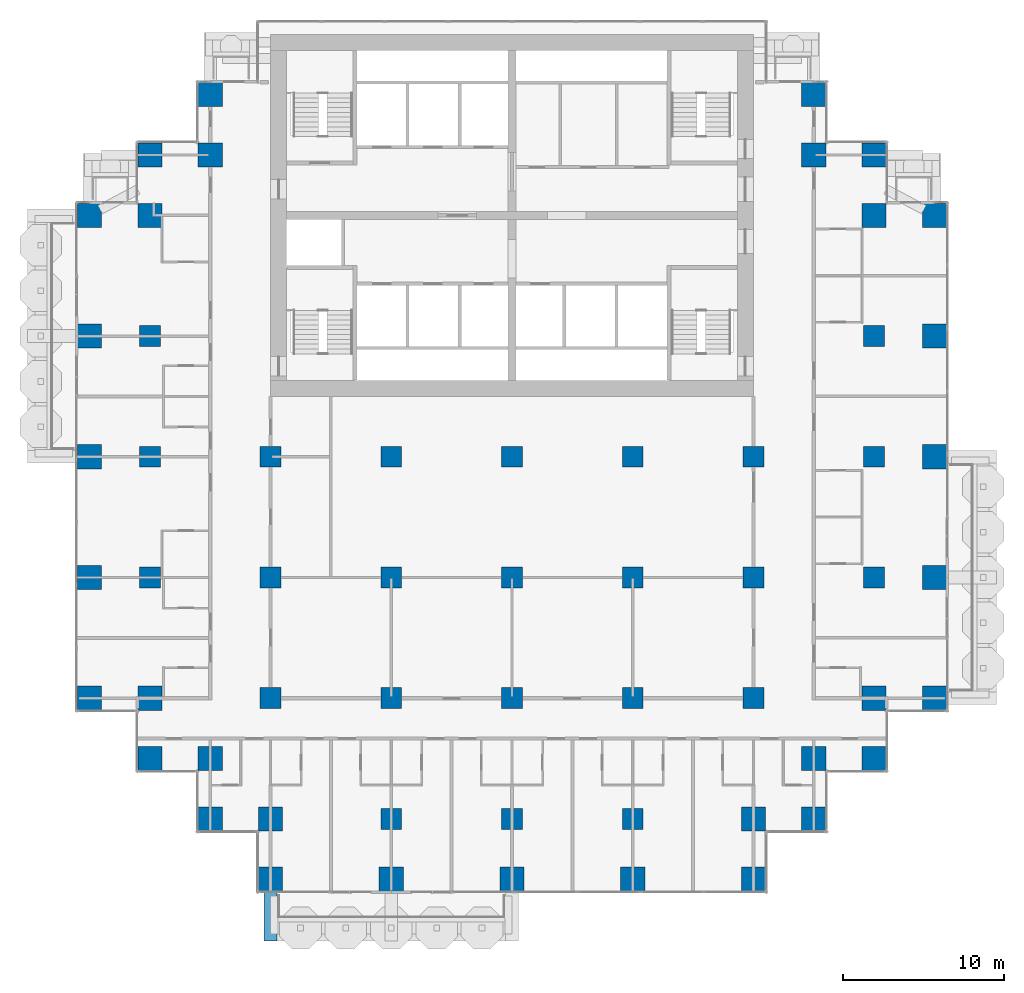
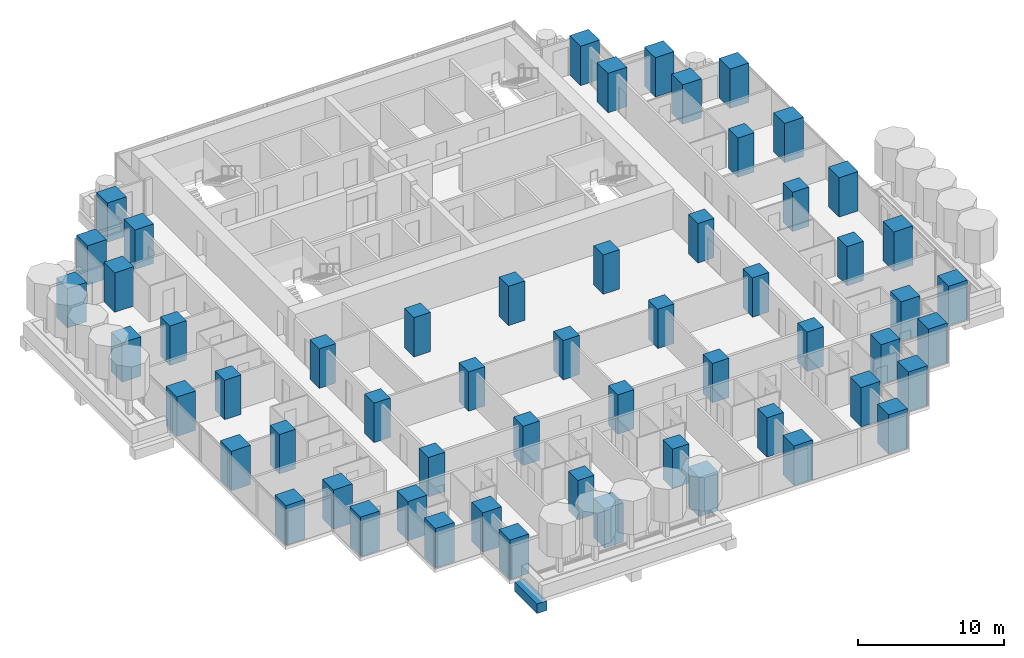
# One storey, part 1 of 19: 57 columns, 1 beam.
"""IFC4 building model written with IfcOpenShell, lengths in metres."""

from ifc_helpers import new_model, si_unit, direction, frame, origin, origin_2d, place, context, subcontext, project, spatial, rectangle, extrude, material, material_profile, profile_set, type_object, element, save


model = new_model("IFC4")

# Units and contexts
model_context = context("Model", 3, precision=1e-05, world=origin(), true_north=direction((0.0, 1.0)))
body_context = subcontext(model_context, "Body", "Model", "MODEL_VIEW")
ifc_project = project(units=[si_unit("LENGTHUNIT", "METRE"), si_unit("AREAUNIT", "SQUARE_METRE"), si_unit("VOLUMEUNIT", "CUBIC_METRE"), si_unit("PLANEANGLEUNIT", "RADIAN"), si_unit("MASSUNIT", "GRAM", prefix="KILO")], contexts=[model_context])

# Site, building, storey
site_placement = place(None, origin())
site = spatial("IfcSite", under=ifc_project, at=site_placement, CompositionType="ELEMENT")
building_placement = place(site_placement, origin())
building = spatial("IfcBuilding", under=site, at=building_placement, Name="Pilkhan Gate Tower", CompositionType="ELEMENT")
storey_placement = place(building_placement, frame((0.0, 0.0, 89.0)))
storey = spatial("IfcBuildingStorey", under=building, at=storey_placement, Name="L21", CompositionType="ELEMENT", Elevation=89.0)

# Columns
ifc_material_1 = material(Name="Concrete C70/85", Category="concrete")
ifc_material_profile_1 = material_profile(ifc_material_1, rectangle(XDim=1.300048828125, YDim=1.300048828125, at=origin_2d()), Name="RC 1300x1300")
ifc_profile_set_1 = profile_set([ifc_material_profile_1], Name="Concrete C70/85")
column_type_1 = type_object("IfcColumnType", Name="Column C130 RC 1300x1300 C70/85", PredefinedType="COLUMN", material=ifc_profile_set_1)
for number, where, z_axis, x_axis, name in (
    (1, (52.5, 60.0, 0.0), (0.0, 0.0, 1.0), (1.0, 0.0, 0.0), "Column 5/F L21"),
    (2, (52.5, 67.5, 0.0), (0.0, 0.0, 1.0), (1.0, 0.0, 0.0), "Column 5/H L21"),
    (3, (52.5, 75.0, 0.0), (0.0, 0.0, 1.0), (1.0, 0.0, 0.0), "Column 5/K L21"),
    (4, (60.0, 52.5, 0.0), (0.0, 0.0, 1.0), (1.0, 0.0, 0.0), "Column 7/D L21"),
    (5, (60.0, 60.0, 0.0), (0.0, 0.0, 1.0), (1.0, 0.0, 0.0), "Column 7/F L21"),
    (6, (60.0, 67.5, 0.0), (0.0, 0.0, 1.0), (1.0, 0.0, 0.0), "Column 7/H L21"),
    (7, (67.5, 45.0, 0.0), (0.0, 0.0, 1.0), (1.0, 0.0, 0.0), "Column 9/B L21"),
    (8, (67.5, 52.5, 0.0), (0.0, 0.0, 1.0), (1.0, 0.0, 0.0), "Column 9/D L21"),
    (9, (67.5, 60.0, 0.0), (0.0, 0.0, 1.0), (1.0, 0.0, 0.0), "Column 9/F L21"),
    (10, (67.5, 67.5, 0.0), (0.0, 0.0, 1.0), (1.0, 0.0, 0.0), "Column 9/H L21"),
    (11, (75.0, 45.0, 0.0), (0.0, 0.0, 1.0), (1.0, 0.0, 0.0), "Column 11/B L21"),
    (12, (75.0, 52.5, 0.0), (0.0, 0.0, 1.0), (1.0, 0.0, 0.0), "Column 11/D L21"),
    (13, (75.0, 60.0, 0.0), (0.0, 0.0, 1.0), (1.0, 0.0, 0.0), "Column 11/F L21"),
    (14, (75.0, 67.5, 0.0), (0.0, 0.0, 1.0), (1.0, 0.0, 0.0), "Column 11/H L21"),
    (15, (82.5, 45.0, 0.0), (0.0, 0.0, 1.0), (1.0, 0.0, 0.0), "Column 13/B L21"),
    (16, (82.5, 52.5, 0.0), (0.0, 0.0, 1.0), (1.0, 0.0, 0.0), "Column 13/D L21"),
    (17, (82.5, 60.0, 0.0), (0.0, 0.0, 1.0), (1.0, 0.0, 0.0), "Column 13/F L21"),
    (18, (82.5, 67.5, 0.0), (0.0, 0.0, 1.0), (1.0, 0.0, 0.0), "Column 13/H L21"),
    (19, (90.0, 52.5, 0.0), (0.0, 0.0, 1.0), (1.0, 0.0, 0.0), "Column 15/D L21"),
    (20, (90.0, 60.0, 0.0), (0.0, 0.0, 1.0), (1.0, 0.0, 0.0), "Column 15/F L21"),
    (21, (90.0, 67.5, 0.0), (0.0, 0.0, 1.0), (1.0, 0.0, 0.0), "Column 15/H L21"),
    (22, (97.5, 60.0, 0.0), (0.0, 0.0, 1.0), (1.0, 0.0, 0.0), "Column 17/F L21"),
    (23, (97.5, 67.5, 0.0), (0.0, 0.0, 1.0), (1.0, 0.0, 0.0), "Column 17/H L21"),
    (24, (97.5, 75.0, 0.0), (0.0, 0.0, 1.0), (1.0, 0.0, 0.0), "Column 17/K L21"),
):
    element("IfcColumn", number, at=place(storey_placement, frame(where, z_axis=z_axis, x_axis=x_axis)), inside=storey, type_object=column_type_1, Name=name, PredefinedType="COLUMN", context=body_context, shape_type="SweptSolid", body=[
        extrude(rectangle(XDim=1.300048828125, YDim=1.300048828125, at=origin_2d()), origin(), (0.0, 0.0, 1.0), 3.300048828125),
    ])
ifc_material_profile_2 = material_profile(ifc_material_1, rectangle(XDim=1.5, YDim=1.5, at=origin_2d()), Name="RC 1500x1500")
ifc_profile_set_2 = profile_set([ifc_material_profile_2], Name="Concrete C70/85")
column_type_2 = type_object("IfcColumnType", Name="Column C150 RC 1500x1500 C70/85", PredefinedType="COLUMN", material=ifc_profile_set_2)
for number, where, z_axis, x_axis, name in (
    (25, (48.75, 52.5, 0.0), (0.0, 0.0, 1.0), (1.0, 0.0, 0.0), "Column 4/D L21"),
    (26, (48.75, 60.0, 0.0), (0.0, 0.0, 1.0), (1.0, 0.0, 0.0), "Column 4/F L21"),
    (27, (48.75, 67.5, 0.0), (0.0, 0.0, 1.0), (1.0, 0.0, 0.0), "Column 4/H L21"),
    (28, (48.75, 75.0, 0.0), (0.0, 0.0, 1.0), (1.0, 0.0, 0.0), "Column 4/K L21"),
    (29, (48.75, 82.5, 0.0), (0.0, 0.0, 1.0), (1.0, 0.0, 0.0), "Column 4/M L21"),
    (30, (52.5, 48.75, 0.0), (0.0, 0.0, 1.0), (1.0, 0.0, 0.0), "Column 5/C L21"),
    (31, (52.5, 52.5, 0.0), (0.0, 0.0, 1.0), (1.0, 0.0, 0.0), "Column 5/D L21"),
    (32, (52.5, 82.5, 0.0), (0.0, 0.0, 1.0), (1.0, 0.0, 0.0), "Column 5/M L21"),
    (33, (52.5, 86.25, 0.0), (0.0, 0.0, 1.0), (1.0, 0.0, 0.0), "Column 5/N L21"),
    (34, (56.25, 45.0, 0.0), (0.0, 0.0, 1.0), (1.0, 0.0, 0.0), "Column 6/B L21"),
    (35, (56.25, 48.75, 0.0), (0.0, 0.0, 1.0), (1.0, 0.0, 0.0), "Column 6/C L21"),
    (36, (56.25, 86.25, 0.0), (0.0, 0.0, 1.0), (1.0, 0.0, 0.0), "Column 6/N L21"),
    (37, (56.25, 90.0, 0.0), (0.0, 0.0, 1.0), (1.0, 0.0, 0.0), "Column 6/P L21"),
    (38, (60.0, 41.25, 0.0), (0.0, 0.0, 1.0), (1.0, 0.0, 0.0), "Column 7/A L21"),
    (39, (60.0, 45.0, 0.0), (0.0, 0.0, 1.0), (1.0, 0.0, 0.0), "Column 7/B L21"),
    (40, (67.5, 41.25, 0.0), (0.0, 0.0, 1.0), (1.0, 0.0, 0.0), "Column 9/A L21"),
    (41, (75.0, 41.25, 0.0), (0.0, 0.0, 1.0), (1.0, 0.0, 0.0), "Column 11/A L21"),
    (42, (82.5, 41.25, 0.0), (0.0, 0.0, 1.0), (1.0, 0.0, 0.0), "Column 13/A L21"),
    (43, (90.0, 41.25, 0.0), (0.0, 0.0, 1.0), (1.0, 0.0, 0.0), "Column 15/A L21"),
    (44, (90.0, 45.0, 0.0), (0.0, 0.0, 1.0), (1.0, 0.0, 0.0), "Column 15/B L21"),
    (45, (93.75, 45.0, 0.0), (0.0, 0.0, 1.0), (1.0, 0.0, 0.0), "Column 16/B L21"),
    (46, (93.75, 48.75, 0.0), (0.0, 0.0, 1.0), (1.0, 0.0, 0.0), "Column 16/C L21"),
    (47, (93.75, 86.25, 0.0), (0.0, 0.0, 1.0), (1.0, 0.0, 0.0), "Column 16/N L21"),
    (48, (93.75, 90.0, 0.0), (0.0, 0.0, 1.0), (1.0, 0.0, 0.0), "Column 16/P L21"),
    (49, (97.5, 48.75, 0.0), (0.0, 0.0, 1.0), (1.0, 0.0, 0.0), "Column 17/C L21"),
    (50, (97.5, 52.5, 0.0), (0.0, 0.0, 1.0), (1.0, 0.0, 0.0), "Column 17/D L21"),
    (51, (97.5, 82.5, 0.0), (0.0, 0.0, 1.0), (1.0, 0.0, 0.0), "Column 17/M L21"),
    (52, (97.5, 86.25, 0.0), (0.0, 0.0, 1.0), (1.0, 0.0, 0.0), "Column 17/N L21"),
    (53, (101.25, 52.5, 0.0), (0.0, 0.0, 1.0), (1.0, 0.0, 0.0), "Column 18/D L21"),
    (54, (101.25, 60.0, 0.0), (0.0, 0.0, 1.0), (1.0, 0.0, 0.0), "Column 18/F L21"),
    (55, (101.25, 67.5, 0.0), (0.0, 0.0, 1.0), (1.0, 0.0, 0.0), "Column 18/H L21"),
    (56, (101.25, 75.0, 0.0), (0.0, 0.0, 1.0), (1.0, 0.0, 0.0), "Column 18/K L21"),
    (57, (101.25, 82.5, 0.0), (0.0, 0.0, 1.0), (1.0, 0.0, 0.0), "Column 18/M L21"),
):
    element("IfcColumn", number, at=place(storey_placement, frame(where, z_axis=z_axis, x_axis=x_axis)), inside=storey, type_object=column_type_2, Name=name, PredefinedType="COLUMN", context=body_context, shape_type="SweptSolid", body=[
        extrude(rectangle(XDim=1.5, YDim=1.5, at=origin_2d()), origin(), (0.0, 0.0, 1.0), 3.300048828125),
    ])

# Beam
ifc_material_2 = material(Name="Concrete C50/60", Category="concrete")
ifc_material_profile_3 = material_profile(ifc_material_2, rectangle(XDim=0.800048828125, YDim=0.800048828125, at=origin_2d()), Name="RC 800x800")
ifc_profile_set_3 = profile_set([ifc_material_profile_3], Name="Concrete C50/60")
beam_type = type_object("IfcBeamType", Name="Cantilever beam CB2 RC 800x800 C50/60", PredefinedType="BEAM", material=ifc_profile_set_3)
beam_placement = place(storey_placement, frame((60.0, 40.5, -0.699951171875), z_axis=(0.0, -1.0, 0.0), x_axis=(1.0, 0.0, 0.0)))
element("IfcBeam", 58, at=beam_placement, inside=storey, type_object=beam_type, Name="Balcony beam S.1 L21", PredefinedType="BEAM", context=body_context, shape_type="SweptSolid", body=[
    extrude(rectangle(XDim=0.800048828125, YDim=0.800048828125, at=origin_2d()), origin(), (0.0, 0.0, 1.0), 3.10009765625),
])

save(model, "model.ifc")
